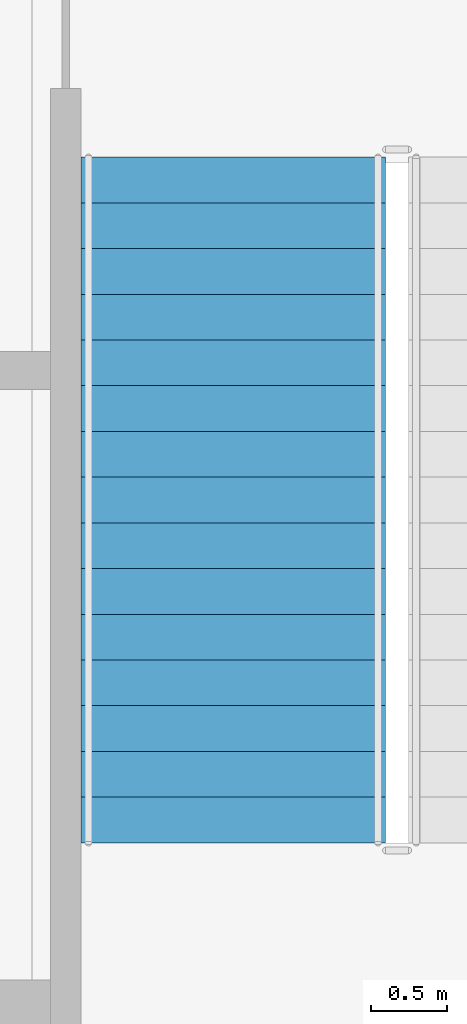
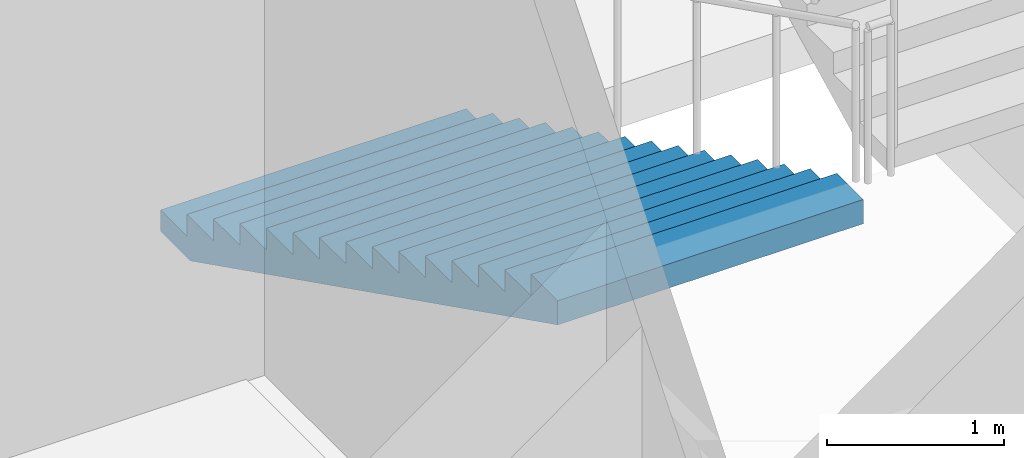
# One storey, part 49 of 91: 1 stair flight, 1 element without a shape of its own.
"""IFC4 building model written with IfcOpenShell, lengths in metres."""

import ifcopenshell
import ifcopenshell.guid

model = None  # the IFC model being written
_history = None  # IfcOwnerHistory: only IFC2X3 demands one
_inside = {}  # id of a spatial element -> (the spatial element, [elements in it])
_under = {}  # id of a project, library or spatial element -> (it, [spatial elements below it])
_declared = {}  # id of a project -> (the project, [libraries it declares])
_typed = {}  # id of a type object -> (the type object, [elements of that type])
_made_of = {}  # id of a material, layer set ... -> (it, [elements and type objects made of it])


def new_model(schema):
    """Start an empty IFC model of exactly this schema.

    Asked for "IFC4X3", IfcOpenShell would pick the latest addendum, in which some entities
    have other attributes; the version numbers below select the first issue.
    IFC2X3 requires an IfcOwnerHistory on every rooted entity: one is made here for all.
    """
    global model, _history
    if schema == "IFC4X3":
        model = ifcopenshell.file(schema_version=(4, 3, 0, 0))
    else:
        model = ifcopenshell.file(schema=schema)
    _inside.clear()
    _under.clear()
    _declared.clear()
    _typed.clear()
    _made_of.clear()
    _history = None
    if model.schema == "IFC2X3":
        org = make("IfcOrganization", Name="unknown")
        user = make(
            "IfcPersonAndOrganization",
            ThePerson=make("IfcPerson", FamilyName="unknown"),
            TheOrganization=org,
        )
        app = make(
            "IfcApplication",
            ApplicationDeveloper=org,
            Version="unknown",
            ApplicationFullName="unknown",
            ApplicationIdentifier="unknown",
        )
        _history = make(
            "IfcOwnerHistory",
            OwningUser=user,
            OwningApplication=app,
            ChangeAction="ADDED",
            CreationDate=0,
        )
    return model


def make(cls, **values):
    """One entity of the class cls with the attributes given. An attribute that is None is left unset."""
    return model.create_entity(
        cls, **{name: value for name, value in values.items() if value is not None}
    )


def rooted(cls, **values):
    """An entity with a GlobalId (a new one), such as an element, a storey or a relation."""
    return make(cls, GlobalId=ifcopenshell.guid.new(), OwnerHistory=_history, **values)


def si_unit(unit_type, name, prefix=None):
    """IfcSIUnit, for example si_unit("LENGTHUNIT", "METRE", prefix="MILLI")."""
    return make("IfcSIUnit", UnitType=unit_type, Prefix=prefix, Name=name)


def assignment(units):
    """IfcUnitAssignment: the units of a project."""
    return None if units is None else make("IfcUnitAssignment", Units=units)


def point(xyz):
    """IfcCartesianPoint."""
    return None if xyz is None else make("IfcCartesianPoint", Coordinates=xyz)


def direction(xyz):
    """IfcDirection."""
    return None if xyz is None else make("IfcDirection", DirectionRatios=xyz)


def frame(location, z_axis=None, x_axis=None):
    """IfcAxis2Placement3D, a coordinate frame: its origin and axes. An axis left out is left unset."""
    return make(
        "IfcAxis2Placement3D",
        Location=point(location),
        Axis=direction(z_axis),
        RefDirection=direction(x_axis),
    )


def origin():
    """The frame at (0, 0, 0) with its axes left unset."""
    return frame((0.0, 0.0, 0.0))


def place(relative_to, where):
    """IfcLocalPlacement: puts the frame where relative to a parent placement (None: the world)."""
    return make(
        "IfcLocalPlacement", PlacementRelTo=relative_to, RelativePlacement=where
    )


def context(
    kind, dimensions, precision=None, world=None, true_north=None, identifier=None
):
    """IfcGeometricRepresentationContext, for example the 3D "Model" context."""
    return make(
        "IfcGeometricRepresentationContext",
        ContextIdentifier=identifier,
        ContextType=kind,
        CoordinateSpaceDimension=dimensions,
        Precision=precision,
        WorldCoordinateSystem=world,
        TrueNorth=true_north,
    )


def subcontext(parent, identifier, kind, view, scale=None):
    """IfcGeometricRepresentationSubContext, for example "Body" below "Model"."""
    return make(
        "IfcGeometricRepresentationSubContext",
        ContextIdentifier=identifier,
        ContextType=kind,
        ParentContext=parent,
        TargetScale=scale,
        TargetView=view,
    )


def project(units=None, contexts=None):
    """IfcProject with its units and contexts."""
    return rooted(
        "IfcProject",
        Name="project",
        RepresentationContexts=contexts,
        UnitsInContext=assignment(units),
    )


def spatial(cls, under=None, at=None, **own):
    """A site, building, storey or space (cls), placed at a placement, below another one or the project."""
    s = rooted(cls, ObjectPlacement=at, **own)
    if under is not None:
        _under.setdefault(under.id(), (under, []))[1].append(s)
    return s


def faces_of(points, faces, orient=None, outer=None):
    """IfcFace entities. A face is a list of loops; a loop is a list of indices into points, from 0.

    orient and outer hold one flag for each loop. By default every Orientation is true, the
    first loop of a face is its IfcFaceOuterBound and the others are IfcFaceBound.
    """
    made = []
    for i, loops in enumerate(faces):
        bounds = []
        for j, loop in enumerate(loops):
            is_outer = j == 0 if outer is None else outer[i][j]
            bounds.append(
                make(
                    "IfcFaceOuterBound" if is_outer else "IfcFaceBound",
                    Bound=make("IfcPolyLoop", Polygon=[points[k] for k in loop]),
                    Orientation=True if orient is None else orient[i][j],
                )
            )
        made.append(make("IfcFace", Bounds=bounds))
    return made


def faceted_brep(points, faces, orient=None, outer=None, voids=None):
    """IfcFacetedBrep: a solid bounded by flat faces; with voids (closed shells), ...WithVoids."""
    shared = [point(p) for p in points]
    hull = make("IfcClosedShell", CfsFaces=faces_of(shared, faces, orient, outer))
    if voids is None:
        return make("IfcFacetedBrep", Outer=hull)
    return make(
        "IfcFacetedBrepWithVoids",
        Outer=hull,
        Voids=[
            make(cls, CfsFaces=faces_of(shared, fs, o, b)) for cls, fs, o, b in voids
        ],
    )


def shape(context_of_items, identifier, shape_type, items):
    """IfcShapeRepresentation: the items that make up one representation, for example the "Body"."""
    return make(
        "IfcShapeRepresentation",
        ContextOfItems=context_of_items,
        RepresentationIdentifier=identifier,
        RepresentationType=shape_type,
        Items=items,
    )


def material(Name=None, Category=None):
    """IfcMaterial."""
    return make("IfcMaterial", Name=Name, Category=Category)


def made_of(thing, what):
    """Note that an element or type object is made of a material, layer set ...; save() writes the relation."""
    if what is not None:
        _made_of.setdefault(what.id(), (what, []))[1].append(thing)
    return thing


def type_object(cls, material=None, **own):
    """A type object (cls), such as IfcWallType, which elements share."""
    return made_of(rooted(cls, **own), material)


def element(
    cls,
    number,
    at=None,
    inside=None,
    cuts=None,
    type_object=None,
    material=None,
    context=None,
    identifier="Body",
    shape_type=None,
    held_by="IfcProductDefinitionShape",
    body=None,
    shapes=None,
    **own,
):
    """One element of the class cls, such as IfcWall. Its Tag is "e" and its number.

    at: its placement. inside: the storey or other place that contains it. cuts: it is an
    opening in that element (IfcRelVoidsElement). A single representation is given by context,
    identifier, shape_type and body (its items); several are given by shapes. held_by: the class
    of the entity that holds the representations. save() writes the other relations.
    """
    e = rooted(cls, Tag="e%d" % number, ObjectPlacement=at, **own)
    if body is not None:
        shapes = [shape(context, identifier, shape_type, body)]
    if shapes is not None:
        e.Representation = make(held_by, Representations=shapes)
    if inside is not None:
        _inside.setdefault(inside.id(), (inside, []))[1].append(e)
    if cuts is not None:
        rooted(
            "IfcRelVoidsElement", RelatingBuildingElement=cuts, RelatedOpeningElement=e
        )
    if type_object is not None:
        _typed.setdefault(type_object.id(), (type_object, []))[1].append(e)
    return made_of(e, material)


def aggregate(whole, parts):
    """IfcRelAggregates: a whole, such as a stair, and the parts it consists of."""
    return rooted("IfcRelAggregates", RelatingObject=whole, RelatedObjects=parts)


def save(model, path):
    """Write the relations noted so far, then the file.

    IfcRelAggregates (storeys below a building ...), IfcRelContainedInSpatialStructure (elements
    in a storey), IfcRelDefinesByType, IfcRelAssociatesMaterial and IfcRelDeclares: one each for
    every whole, place, type object, material and project.
    """
    for whole, parts in _under.values():
        aggregate(whole, parts)
    for where, things in _inside.values():
        rooted(
            "IfcRelContainedInSpatialStructure",
            RelatedElements=things,
            RelatingStructure=where,
        )
    for kind, things in _typed.values():
        rooted("IfcRelDefinesByType", RelatedObjects=things, RelatingType=kind)
    for what, things in _made_of.values():
        rooted("IfcRelAssociatesMaterial", RelatedObjects=things, RelatingMaterial=what)
    for by, libraries in _declared.values():
        rooted("IfcRelDeclares", RelatingContext=by, RelatedDefinitions=libraries)
    model.write(path)


model = new_model("IFC4")

# Units and contexts
model_context = context("Model", 3, precision=1e-05, world=origin(), true_north=direction((0.0, 1.0)))
body_context = subcontext(model_context, "Body", "Model", "MODEL_VIEW")
ifc_project = project(units=[si_unit("LENGTHUNIT", "METRE"), si_unit("AREAUNIT", "SQUARE_METRE"), si_unit("VOLUMEUNIT", "CUBIC_METRE"), si_unit("PLANEANGLEUNIT", "RADIAN"), si_unit("MASSUNIT", "GRAM", prefix="KILO")], contexts=[model_context])

# Site, building, storey
site_placement = place(None, origin())
site = spatial("IfcSite", under=ifc_project, at=site_placement, CompositionType="ELEMENT")
building_placement = place(site_placement, origin())
building = spatial("IfcBuilding", under=site, at=building_placement, Name="Kiln Court Media Centre", CompositionType="ELEMENT")
storey_placement = place(building_placement, frame((0.0, 0.0, 5.39990234375)))
storey = spatial("IfcBuildingStorey", under=building, at=storey_placement, Name="L01", CompositionType="ELEMENT", Elevation=5.39990234375)

# Stair, stair flight
ifc_material_1 = material(Name="Concrete C40/50", Category="concrete")
stair_type = type_object("IfcStairType", Name="Concrete C40/50 dog-leg stair 2000 wide, 150 riser", PredefinedType="HALF_TURN_STAIR", material=ifc_material_1)
stair_placement = place(storey_placement, origin())
stair = element("IfcStair", 1, at=stair_placement, inside=storey, type_object=stair_type, Name="ST-08 L01", PredefinedType="HALF_TURN_STAIR")
ifc_material_2 = material(Name="Concrete C40/50", Category="concrete")
stair_flight_type = type_object("IfcStairFlightType", Name="Concrete C40/50 stair flight 2000 wide, 150 riser, 300 going", PredefinedType="STRAIGHT", material=ifc_material_2)
stair_flight_placement = place(storey_placement, frame((30.0, 64.39990234375, 0.0), z_axis=(0.0, 0.0, 1.0), x_axis=(0.0, -1.0, 0.0)))
stair_flight = element("IfcStairFlight", 2, at=stair_flight_placement, type_object=stair_flight_type, Name="L01-ST-5007 flight 5014", NumberOfRisers=16, NumberOfTreads=15, PredefinedType="STRAIGHT", RiserHeight=0.15, TreadLength=0.3, context=body_context, shape_type="Brep", body=[
    faceted_brep([(0.335205078125, -1.0, 0.0), (4.5, -1.0, 2.08251953125), (4.5, -1.0, 2.25), (4.199951171875, -1.0, 2.25), (4.199951171875, -1.0, 2.10009765625), (3.89990234375, -1.0, 2.10009765625), (3.89990234375, -1.0, 1.949951171875), (3.60009765625, -1.0, 1.949951171875), (3.60009765625, -1.0, 1.800048828125), (3.300048828125, -1.0, 1.800048828125), (3.300048828125, -1.0, 1.64990234375), (3.0, -1.0, 1.64990234375), (3.0, -1.0, 1.5), (2.699951171875, -1.0, 1.5), (2.699951171875, -1.0, 1.35009765625), (2.39990234375, -1.0, 1.35009765625), (2.39990234375, -1.0, 1.199951171875), (2.10009765625, -1.0, 1.199951171875), (2.10009765625, -1.0, 1.050048828125), (1.800048828125, -1.0, 1.050048828125), (1.800048828125, -1.0, 0.89990234375), (1.5, -1.0, 0.89990234375), (1.5, -1.0, 0.75), (1.199951171875, -1.0, 0.75), (1.199951171875, -1.0, 0.60009765625), (0.89990234375, -1.0, 0.60009765625), (0.89990234375, -1.0, 0.449951171875), (0.60009765625, -1.0, 0.449951171875), (0.60009765625, -1.0, 0.300048828125), (0.300048828125, -1.0, 0.300048828125), (0.300048828125, -1.0, 0.14990234375), (0.0, -1.0, 0.14990234375), (0.0, -1.0, 0.0), (0.0, 1.0, 0.0), (0.0, 1.0, 0.14990234375), (0.300048828125, 1.0, 0.14990234375), (0.300048828125, 1.0, 0.300048828125), (0.60009765625, 1.0, 0.300048828125), (0.60009765625, 1.0, 0.449951171875), (0.89990234375, 1.0, 0.449951171875), (0.89990234375, 1.0, 0.60009765625), (1.199951171875, 1.0, 0.60009765625), (1.199951171875, 1.0, 0.75), (1.5, 1.0, 0.75), (1.5, 1.0, 0.89990234375), (1.800048828125, 1.0, 0.89990234375), (1.800048828125, 1.0, 1.050048828125), (2.10009765625, 1.0, 1.050048828125), (2.10009765625, 1.0, 1.199951171875), (2.39990234375, 1.0, 1.199951171875), (2.39990234375, 1.0, 1.35009765625), (2.699951171875, 1.0, 1.35009765625), (2.699951171875, 1.0, 1.5), (3.0, 1.0, 1.5), (3.0, 1.0, 1.64990234375), (3.300048828125, 1.0, 1.64990234375), (3.300048828125, 1.0, 1.800048828125), (3.60009765625, 1.0, 1.800048828125), (3.60009765625, 1.0, 1.949951171875), (3.89990234375, 1.0, 1.949951171875), (3.89990234375, 1.0, 2.10009765625), (4.199951171875, 1.0, 2.10009765625), (4.199951171875, 1.0, 2.25), (4.5, 1.0, 2.25), (4.5, 1.0, 2.08251953125), (0.335205078125, 1.0, 0.0), (4.5, 0.10009765625, 2.08251953125), (0.335205078125, 0.10009765625, 0.0), (4.5, 0.080078125, 2.08251953125), (0.335205078125, 0.080078125, 0.0), (4.5, 0.06005859375, 2.08251953125), (0.335205078125, 0.06005859375, 0.0), (4.5, 0.0400390625, 2.08251953125), (0.335205078125, 0.0400390625, 0.0), (4.5, 0.02001953125, 2.08251953125), (0.335205078125, 0.02001953125, 0.0), (4.5, 0.0, 2.08251953125), (0.335205078125, 0.0, 0.0), (4.5, -0.02001953125, 2.08251953125), (0.335205078125, -0.02001953125, 0.0), (4.5, -0.0400390625, 2.08251953125), (0.335205078125, -0.0400390625, 0.0), (4.5, -0.06005859375, 2.08251953125), (0.335205078125, -0.06005859375, 0.0), (4.5, -0.080078125, 2.08251953125), (0.335205078125, -0.080078125, 0.0), (4.5, -0.10009765625, 2.08251953125), (0.335205078125, -0.10009765625, 0.0), (4.5, 0.10009765625, 2.25), (4.5, 0.080078125, 2.25), (4.5, 0.06005859375, 2.25), (4.5, 0.0400390625, 2.25), (4.5, 0.02001953125, 2.25), (4.5, 0.0, 2.25), (4.5, -0.02001953125, 2.25), (4.5, -0.0400390625, 2.25), (4.5, -0.06005859375, 2.25), (4.5, -0.080078125, 2.25), (4.5, -0.10009765625, 2.25), (4.199951171875, 0.10009765625, 2.25), (4.199951171875, 0.080078125, 2.25), (4.199951171875, 0.06005859375, 2.25), (4.199951171875, 0.0400390625, 2.25), (4.199951171875, 0.02001953125, 2.25), (4.199951171875, 0.0, 2.25), (4.199951171875, -0.02001953125, 2.25), (4.199951171875, -0.0400390625, 2.25), (4.199951171875, -0.06005859375, 2.25), (4.199951171875, -0.080078125, 2.25), (4.199951171875, -0.10009765625, 2.25), (4.199951171875, 0.10009765625, 2.10009765625), (4.199951171875, 0.080078125, 2.10009765625), (4.199951171875, 0.06005859375, 2.10009765625), (4.199951171875, 0.0400390625, 2.10009765625), (4.199951171875, 0.02001953125, 2.10009765625), (4.199951171875, 0.0, 2.10009765625), (4.199951171875, -0.02001953125, 2.10009765625), (4.199951171875, -0.0400390625, 2.10009765625), (4.199951171875, -0.06005859375, 2.10009765625), (4.199951171875, -0.080078125, 2.10009765625), (4.199951171875, -0.10009765625, 2.10009765625), (3.89990234375, 0.10009765625, 2.10009765625), (3.89990234375, 0.080078125, 2.10009765625), (3.89990234375, 0.06005859375, 2.10009765625), (3.89990234375, 0.0400390625, 2.10009765625), (3.89990234375, 0.02001953125, 2.10009765625), (3.89990234375, 0.0, 2.10009765625), (3.89990234375, -0.02001953125, 2.10009765625), (3.89990234375, -0.0400390625, 2.10009765625), (3.89990234375, -0.06005859375, 2.10009765625), (3.89990234375, -0.080078125, 2.10009765625), (3.89990234375, -0.10009765625, 2.10009765625), (3.89990234375, 0.10009765625, 1.949951171875), (3.89990234375, 0.080078125, 1.949951171875), (3.89990234375, 0.06005859375, 1.949951171875), (3.89990234375, 0.0400390625, 1.949951171875), (3.89990234375, 0.02001953125, 1.949951171875), (3.89990234375, 0.0, 1.949951171875), (3.89990234375, -0.02001953125, 1.949951171875), (3.89990234375, -0.0400390625, 1.949951171875), (3.89990234375, -0.06005859375, 1.949951171875), (3.89990234375, -0.080078125, 1.949951171875), (3.89990234375, -0.10009765625, 1.949951171875), (3.60009765625, 0.10009765625, 1.949951171875), (3.60009765625, 0.080078125, 1.949951171875), (3.60009765625, 0.06005859375, 1.949951171875), (3.60009765625, 0.0400390625, 1.949951171875), (3.60009765625, 0.02001953125, 1.949951171875), (3.60009765625, 0.0, 1.949951171875), (3.60009765625, -0.02001953125, 1.949951171875), (3.60009765625, -0.0400390625, 1.949951171875), (3.60009765625, -0.06005859375, 1.949951171875), (3.60009765625, -0.080078125, 1.949951171875), (3.60009765625, -0.10009765625, 1.949951171875), (3.60009765625, 0.10009765625, 1.800048828125), (3.60009765625, 0.080078125, 1.800048828125), (3.60009765625, 0.06005859375, 1.800048828125), (3.60009765625, 0.0400390625, 1.800048828125), (3.60009765625, 0.02001953125, 1.800048828125), (3.60009765625, 0.0, 1.800048828125), (3.60009765625, -0.02001953125, 1.800048828125), (3.60009765625, -0.0400390625, 1.800048828125), (3.60009765625, -0.06005859375, 1.800048828125), (3.60009765625, -0.080078125, 1.800048828125), (3.60009765625, -0.10009765625, 1.800048828125), (3.300048828125, 0.10009765625, 1.800048828125), (3.300048828125, 0.080078125, 1.800048828125), (3.300048828125, 0.06005859375, 1.800048828125), (3.300048828125, 0.0400390625, 1.800048828125), (3.300048828125, 0.02001953125, 1.800048828125), (3.300048828125, 0.0, 1.800048828125), (3.300048828125, -0.02001953125, 1.800048828125), (3.300048828125, -0.0400390625, 1.800048828125), (3.300048828125, -0.06005859375, 1.800048828125), (3.300048828125, -0.080078125, 1.800048828125), (3.300048828125, -0.10009765625, 1.800048828125), (3.300048828125, 0.10009765625, 1.64990234375), (3.300048828125, 0.080078125, 1.64990234375), (3.300048828125, 0.06005859375, 1.64990234375), (3.300048828125, 0.0400390625, 1.64990234375), (3.300048828125, 0.02001953125, 1.64990234375), (3.300048828125, 0.0, 1.64990234375), (3.300048828125, -0.02001953125, 1.64990234375), (3.300048828125, -0.0400390625, 1.64990234375), (3.300048828125, -0.06005859375, 1.64990234375), (3.300048828125, -0.080078125, 1.64990234375), (3.300048828125, -0.10009765625, 1.64990234375), (3.0, 0.10009765625, 1.64990234375), (3.0, 0.080078125, 1.64990234375), (3.0, 0.06005859375, 1.64990234375), (3.0, 0.0400390625, 1.64990234375), (3.0, 0.02001953125, 1.64990234375), (3.0, 0.0, 1.64990234375), (3.0, -0.02001953125, 1.64990234375), (3.0, -0.0400390625, 1.64990234375), (3.0, -0.06005859375, 1.64990234375), (3.0, -0.080078125, 1.64990234375), (3.0, -0.10009765625, 1.64990234375), (3.0, 0.10009765625, 1.5), (3.0, 0.080078125, 1.5), (3.0, 0.06005859375, 1.5), (3.0, 0.0400390625, 1.5), (3.0, 0.02001953125, 1.5), (3.0, 0.0, 1.5), (3.0, -0.02001953125, 1.5), (3.0, -0.0400390625, 1.5), (3.0, -0.06005859375, 1.5), (3.0, -0.080078125, 1.5), (3.0, -0.10009765625, 1.5), (2.699951171875, 0.10009765625, 1.5), (2.699951171875, 0.080078125, 1.5), (2.699951171875, 0.06005859375, 1.5), (2.699951171875, 0.0400390625, 1.5), (2.699951171875, 0.02001953125, 1.5), (2.699951171875, 0.0, 1.5), (2.699951171875, -0.02001953125, 1.5), (2.699951171875, -0.0400390625, 1.5), (2.699951171875, -0.06005859375, 1.5), (2.699951171875, -0.080078125, 1.5), (2.699951171875, -0.10009765625, 1.5), (2.699951171875, 0.10009765625, 1.35009765625), (2.699951171875, 0.080078125, 1.35009765625), (2.699951171875, 0.06005859375, 1.35009765625), (2.699951171875, 0.0400390625, 1.35009765625), (2.699951171875, 0.02001953125, 1.35009765625), (2.699951171875, 0.0, 1.35009765625), (2.699951171875, -0.02001953125, 1.35009765625), (2.699951171875, -0.0400390625, 1.35009765625), (2.699951171875, -0.06005859375, 1.35009765625), (2.699951171875, -0.080078125, 1.35009765625), (2.699951171875, -0.10009765625, 1.35009765625), (2.39990234375, 0.10009765625, 1.35009765625), (2.39990234375, 0.080078125, 1.35009765625), (2.39990234375, 0.06005859375, 1.35009765625), (2.39990234375, 0.0400390625, 1.35009765625), (2.39990234375, 0.02001953125, 1.35009765625), (2.39990234375, 0.0, 1.35009765625), (2.39990234375, -0.02001953125, 1.35009765625), (2.39990234375, -0.0400390625, 1.35009765625), (2.39990234375, -0.06005859375, 1.35009765625), (2.39990234375, -0.080078125, 1.35009765625), (2.39990234375, -0.10009765625, 1.35009765625), (2.39990234375, 0.10009765625, 1.199951171875), (2.39990234375, 0.080078125, 1.199951171875), (2.39990234375, 0.06005859375, 1.199951171875), (2.39990234375, 0.0400390625, 1.199951171875), (2.39990234375, 0.02001953125, 1.199951171875), (2.39990234375, 0.0, 1.199951171875), (2.39990234375, -0.02001953125, 1.199951171875), (2.39990234375, -0.0400390625, 1.199951171875), (2.39990234375, -0.06005859375, 1.199951171875), (2.39990234375, -0.080078125, 1.199951171875), (2.39990234375, -0.10009765625, 1.199951171875), (2.10009765625, 0.10009765625, 1.199951171875), (2.10009765625, 0.080078125, 1.199951171875), (2.10009765625, 0.06005859375, 1.199951171875), (2.10009765625, 0.0400390625, 1.199951171875), (2.10009765625, 0.02001953125, 1.199951171875), (2.10009765625, 0.0, 1.199951171875), (2.10009765625, -0.02001953125, 1.199951171875), (2.10009765625, -0.0400390625, 1.199951171875), (2.10009765625, -0.06005859375, 1.199951171875), (2.10009765625, -0.080078125, 1.199951171875), (2.10009765625, -0.10009765625, 1.199951171875), (2.10009765625, 0.10009765625, 1.050048828125), (2.10009765625, 0.080078125, 1.050048828125), (2.10009765625, 0.06005859375, 1.050048828125), (2.10009765625, 0.0400390625, 1.050048828125), (2.10009765625, 0.02001953125, 1.050048828125), (2.10009765625, 0.0, 1.050048828125), (2.10009765625, -0.02001953125, 1.050048828125), (2.10009765625, -0.0400390625, 1.050048828125), (2.10009765625, -0.06005859375, 1.050048828125), (2.10009765625, -0.080078125, 1.050048828125), (2.10009765625, -0.10009765625, 1.050048828125), (1.800048828125, 0.10009765625, 1.050048828125), (1.800048828125, 0.080078125, 1.050048828125), (1.800048828125, 0.06005859375, 1.050048828125), (1.800048828125, 0.0400390625, 1.050048828125), (1.800048828125, 0.02001953125, 1.050048828125), (1.800048828125, 0.0, 1.050048828125), (1.800048828125, -0.02001953125, 1.050048828125), (1.800048828125, -0.0400390625, 1.050048828125), (1.800048828125, -0.06005859375, 1.050048828125), (1.800048828125, -0.080078125, 1.050048828125), (1.800048828125, -0.10009765625, 1.050048828125), (1.800048828125, 0.10009765625, 0.89990234375), (1.800048828125, 0.080078125, 0.89990234375), (1.800048828125, 0.06005859375, 0.89990234375), (1.800048828125, 0.0400390625, 0.89990234375), (1.800048828125, 0.02001953125, 0.89990234375), (1.800048828125, 0.0, 0.89990234375), (1.800048828125, -0.02001953125, 0.89990234375), (1.800048828125, -0.0400390625, 0.89990234375), (1.800048828125, -0.06005859375, 0.89990234375), (1.800048828125, -0.080078125, 0.89990234375), (1.800048828125, -0.10009765625, 0.89990234375), (1.5, 0.10009765625, 0.89990234375), (1.5, 0.080078125, 0.89990234375), (1.5, 0.06005859375, 0.89990234375), (1.5, 0.0400390625, 0.89990234375), (1.5, 0.02001953125, 0.89990234375), (1.5, 0.0, 0.89990234375), (1.5, -0.02001953125, 0.89990234375), (1.5, -0.0400390625, 0.89990234375), (1.5, -0.06005859375, 0.89990234375), (1.5, -0.080078125, 0.89990234375), (1.5, -0.10009765625, 0.89990234375), (1.5, 0.10009765625, 0.75), (1.5, 0.080078125, 0.75), (1.5, 0.06005859375, 0.75), (1.5, 0.0400390625, 0.75), (1.5, 0.02001953125, 0.75), (1.5, 0.0, 0.75), (1.5, -0.02001953125, 0.75), (1.5, -0.0400390625, 0.75), (1.5, -0.06005859375, 0.75), (1.5, -0.080078125, 0.75), (1.5, -0.10009765625, 0.75), (1.199951171875, 0.10009765625, 0.75), (1.199951171875, 0.080078125, 0.75), (1.199951171875, 0.06005859375, 0.75), (1.199951171875, 0.0400390625, 0.75), (1.199951171875, 0.02001953125, 0.75), (1.199951171875, 0.0, 0.75), (1.199951171875, -0.02001953125, 0.75), (1.199951171875, -0.0400390625, 0.75), (1.199951171875, -0.06005859375, 0.75), (1.199951171875, -0.080078125, 0.75), (1.199951171875, -0.10009765625, 0.75), (1.199951171875, 0.10009765625, 0.60009765625), (1.199951171875, 0.080078125, 0.60009765625), (1.199951171875, 0.06005859375, 0.60009765625), (1.199951171875, 0.0400390625, 0.60009765625), (1.199951171875, 0.02001953125, 0.60009765625), (1.199951171875, 0.0, 0.60009765625), (1.199951171875, -0.02001953125, 0.60009765625), (1.199951171875, -0.0400390625, 0.60009765625), (1.199951171875, -0.06005859375, 0.60009765625), (1.199951171875, -0.080078125, 0.60009765625), (1.199951171875, -0.10009765625, 0.60009765625), (0.89990234375, 0.10009765625, 0.60009765625), (0.89990234375, 0.080078125, 0.60009765625), (0.89990234375, 0.06005859375, 0.60009765625), (0.89990234375, 0.0400390625, 0.60009765625), (0.89990234375, 0.02001953125, 0.60009765625), (0.89990234375, 0.0, 0.60009765625), (0.89990234375, -0.02001953125, 0.60009765625), (0.89990234375, -0.0400390625, 0.60009765625), (0.89990234375, -0.06005859375, 0.60009765625), (0.89990234375, -0.080078125, 0.60009765625), (0.89990234375, -0.10009765625, 0.60009765625), (0.89990234375, 0.10009765625, 0.449951171875), (0.89990234375, 0.080078125, 0.449951171875), (0.89990234375, 0.06005859375, 0.449951171875), (0.89990234375, 0.0400390625, 0.449951171875), (0.89990234375, 0.02001953125, 0.449951171875), (0.89990234375, 0.0, 0.449951171875), (0.89990234375, -0.02001953125, 0.449951171875), (0.89990234375, -0.0400390625, 0.449951171875), (0.89990234375, -0.06005859375, 0.449951171875), (0.89990234375, -0.080078125, 0.449951171875), (0.89990234375, -0.10009765625, 0.449951171875), (0.60009765625, 0.10009765625, 0.449951171875), (0.60009765625, 0.080078125, 0.449951171875), (0.60009765625, 0.06005859375, 0.449951171875), (0.60009765625, 0.0400390625, 0.449951171875), (0.60009765625, 0.02001953125, 0.449951171875), (0.60009765625, 0.0, 0.449951171875), (0.60009765625, -0.02001953125, 0.449951171875), (0.60009765625, -0.0400390625, 0.449951171875), (0.60009765625, -0.06005859375, 0.449951171875), (0.60009765625, -0.080078125, 0.449951171875), (0.60009765625, -0.10009765625, 0.449951171875), (0.60009765625, 0.10009765625, 0.300048828125), (0.60009765625, 0.080078125, 0.300048828125), (0.60009765625, 0.06005859375, 0.300048828125), (0.60009765625, 0.0400390625, 0.300048828125), (0.60009765625, 0.02001953125, 0.300048828125), (0.60009765625, 0.0, 0.300048828125), (0.60009765625, -0.02001953125, 0.300048828125), (0.60009765625, -0.0400390625, 0.300048828125), (0.60009765625, -0.06005859375, 0.300048828125), (0.60009765625, -0.080078125, 0.300048828125), (0.60009765625, -0.10009765625, 0.300048828125), (0.300048828125, 0.10009765625, 0.300048828125), (0.300048828125, 0.080078125, 0.300048828125), (0.300048828125, 0.06005859375, 0.300048828125), (0.300048828125, 0.0400390625, 0.300048828125), (0.300048828125, 0.02001953125, 0.300048828125), (0.300048828125, 0.0, 0.300048828125), (0.300048828125, -0.02001953125, 0.300048828125), (0.300048828125, -0.0400390625, 0.300048828125), (0.300048828125, -0.06005859375, 0.300048828125), (0.300048828125, -0.080078125, 0.300048828125), (0.300048828125, -0.10009765625, 0.300048828125), (0.300048828125, 0.10009765625, 0.14990234375), (0.300048828125, 0.080078125, 0.14990234375), (0.300048828125, 0.06005859375, 0.14990234375), (0.300048828125, 0.0400390625, 0.14990234375), (0.300048828125, 0.02001953125, 0.14990234375), (0.300048828125, 0.0, 0.14990234375), (0.300048828125, -0.02001953125, 0.14990234375), (0.300048828125, -0.0400390625, 0.14990234375), (0.300048828125, -0.06005859375, 0.14990234375), (0.300048828125, -0.080078125, 0.14990234375), (0.300048828125, -0.10009765625, 0.14990234375), (0.0, 0.10009765625, 0.14990234375), (0.0, 0.080078125, 0.14990234375), (0.0, 0.06005859375, 0.14990234375), (0.0, 0.0400390625, 0.14990234375), (0.0, 0.02001953125, 0.14990234375), (0.0, 0.0, 0.14990234375), (0.0, -0.02001953125, 0.14990234375), (0.0, -0.0400390625, 0.14990234375), (0.0, -0.06005859375, 0.14990234375), (0.0, -0.080078125, 0.14990234375), (0.0, -0.10009765625, 0.14990234375), (0.0, 0.10009765625, 0.0), (0.0, 0.080078125, 0.0), (0.0, 0.06005859375, 0.0), (0.0, 0.0400390625, 0.0), (0.0, 0.02001953125, 0.0), (0.0, 0.0, 0.0), (0.0, -0.02001953125, 0.0), (0.0, -0.0400390625, 0.0), (0.0, -0.06005859375, 0.0), (0.0, -0.080078125, 0.0), (0.0, -0.10009765625, 0.0)], [[[0, 1, 2, 3, 4, 5, 6, 7, 8, 9, 10, 11, 12, 13, 14, 15, 16, 17, 18, 19, 20, 21, 22, 23, 24, 25, 26, 27, 28, 29, 30, 31, 32]], [[33, 34, 35, 36, 37, 38, 39, 40, 41, 42, 43, 44, 45, 46, 47, 48, 49, 50, 51, 52, 53, 54, 55, 56, 57, 58, 59, 60, 61, 62, 63, 64, 65]], [[65, 64, 66, 67]], [[67, 66, 68, 69]], [[69, 68, 70, 71]], [[71, 70, 72, 73]], [[73, 72, 74, 75]], [[75, 74, 76, 77]], [[77, 76, 78, 79]], [[79, 78, 80, 81]], [[81, 80, 82, 83]], [[83, 82, 84, 85]], [[85, 84, 86, 87]], [[87, 86, 1, 0]], [[64, 63, 88, 66]], [[66, 88, 89, 68]], [[68, 89, 90, 70]], [[70, 90, 91, 72]], [[72, 91, 92, 74]], [[74, 92, 93, 76]], [[76, 93, 94, 78]], [[78, 94, 95, 80]], [[80, 95, 96, 82]], [[82, 96, 97, 84]], [[84, 97, 98, 86]], [[86, 98, 2, 1]], [[63, 62, 99, 88]], [[88, 99, 100, 89]], [[89, 100, 101, 90]], [[90, 101, 102, 91]], [[91, 102, 103, 92]], [[92, 103, 104, 93]], [[93, 104, 105, 94]], [[94, 105, 106, 95]], [[95, 106, 107, 96]], [[96, 107, 108, 97]], [[97, 108, 109, 98]], [[98, 109, 3, 2]], [[62, 61, 110, 99]], [[99, 110, 111, 100]], [[100, 111, 112, 101]], [[101, 112, 113, 102]], [[102, 113, 114, 103]], [[103, 114, 115, 104]], [[104, 115, 116, 105]], [[105, 116, 117, 106]], [[106, 117, 118, 107]], [[107, 118, 119, 108]], [[108, 119, 120, 109]], [[109, 120, 4, 3]], [[61, 60, 121, 110]], [[110, 121, 122, 111]], [[111, 122, 123, 112]], [[112, 123, 124, 113]], [[113, 124, 125, 114]], [[114, 125, 126, 115]], [[115, 126, 127, 116]], [[116, 127, 128, 117]], [[117, 128, 129, 118]], [[118, 129, 130, 119]], [[119, 130, 131, 120]], [[120, 131, 5, 4]], [[60, 59, 132, 121]], [[121, 132, 133, 122]], [[122, 133, 134, 123]], [[123, 134, 135, 124]], [[124, 135, 136, 125]], [[125, 136, 137, 126]], [[126, 137, 138, 127]], [[127, 138, 139, 128]], [[128, 139, 140, 129]], [[129, 140, 141, 130]], [[130, 141, 142, 131]], [[131, 142, 6, 5]], [[59, 58, 143, 132]], [[132, 143, 144, 133]], [[133, 144, 145, 134]], [[134, 145, 146, 135]], [[135, 146, 147, 136]], [[136, 147, 148, 137]], [[137, 148, 149, 138]], [[138, 149, 150, 139]], [[139, 150, 151, 140]], [[140, 151, 152, 141]], [[141, 152, 153, 142]], [[142, 153, 7, 6]], [[58, 57, 154, 143]], [[143, 154, 155, 144]], [[144, 155, 156, 145]], [[145, 156, 157, 146]], [[146, 157, 158, 147]], [[147, 158, 159, 148]], [[148, 159, 160, 149]], [[149, 160, 161, 150]], [[150, 161, 162, 151]], [[151, 162, 163, 152]], [[152, 163, 164, 153]], [[153, 164, 8, 7]], [[57, 56, 165, 154]], [[154, 165, 166, 155]], [[155, 166, 167, 156]], [[156, 167, 168, 157]], [[157, 168, 169, 158]], [[158, 169, 170, 159]], [[159, 170, 171, 160]], [[160, 171, 172, 161]], [[161, 172, 173, 162]], [[162, 173, 174, 163]], [[163, 174, 175, 164]], [[164, 175, 9, 8]], [[56, 55, 176, 165]], [[165, 176, 177, 166]], [[166, 177, 178, 167]], [[167, 178, 179, 168]], [[168, 179, 180, 169]], [[169, 180, 181, 170]], [[170, 181, 182, 171]], [[171, 182, 183, 172]], [[172, 183, 184, 173]], [[173, 184, 185, 174]], [[174, 185, 186, 175]], [[175, 186, 10, 9]], [[55, 54, 187, 176]], [[176, 187, 188, 177]], [[177, 188, 189, 178]], [[178, 189, 190, 179]], [[179, 190, 191, 180]], [[180, 191, 192, 181]], [[181, 192, 193, 182]], [[182, 193, 194, 183]], [[183, 194, 195, 184]], [[184, 195, 196, 185]], [[185, 196, 197, 186]], [[186, 197, 11, 10]], [[54, 53, 198, 187]], [[187, 198, 199, 188]], [[188, 199, 200, 189]], [[189, 200, 201, 190]], [[190, 201, 202, 191]], [[191, 202, 203, 192]], [[192, 203, 204, 193]], [[193, 204, 205, 194]], [[194, 205, 206, 195]], [[195, 206, 207, 196]], [[196, 207, 208, 197]], [[197, 208, 12, 11]], [[53, 52, 209, 198]], [[198, 209, 210, 199]], [[199, 210, 211, 200]], [[200, 211, 212, 201]], [[201, 212, 213, 202]], [[202, 213, 214, 203]], [[203, 214, 215, 204]], [[204, 215, 216, 205]], [[205, 216, 217, 206]], [[206, 217, 218, 207]], [[207, 218, 219, 208]], [[208, 219, 13, 12]], [[52, 51, 220, 209]], [[209, 220, 221, 210]], [[210, 221, 222, 211]], [[211, 222, 223, 212]], [[212, 223, 224, 213]], [[213, 224, 225, 214]], [[214, 225, 226, 215]], [[215, 226, 227, 216]], [[216, 227, 228, 217]], [[217, 228, 229, 218]], [[218, 229, 230, 219]], [[219, 230, 14, 13]], [[51, 50, 231, 220]], [[220, 231, 232, 221]], [[221, 232, 233, 222]], [[222, 233, 234, 223]], [[223, 234, 235, 224]], [[224, 235, 236, 225]], [[225, 236, 237, 226]], [[226, 237, 238, 227]], [[227, 238, 239, 228]], [[228, 239, 240, 229]], [[229, 240, 241, 230]], [[230, 241, 15, 14]], [[50, 49, 242, 231]], [[231, 242, 243, 232]], [[232, 243, 244, 233]], [[233, 244, 245, 234]], [[234, 245, 246, 235]], [[235, 246, 247, 236]], [[236, 247, 248, 237]], [[237, 248, 249, 238]], [[238, 249, 250, 239]], [[239, 250, 251, 240]], [[240, 251, 252, 241]], [[241, 252, 16, 15]], [[49, 48, 253, 242]], [[242, 253, 254, 243]], [[243, 254, 255, 244]], [[244, 255, 256, 245]], [[245, 256, 257, 246]], [[246, 257, 258, 247]], [[247, 258, 259, 248]], [[248, 259, 260, 249]], [[249, 260, 261, 250]], [[250, 261, 262, 251]], [[251, 262, 263, 252]], [[252, 263, 17, 16]], [[48, 47, 264, 253]], [[253, 264, 265, 254]], [[254, 265, 266, 255]], [[255, 266, 267, 256]], [[256, 267, 268, 257]], [[257, 268, 269, 258]], [[258, 269, 270, 259]], [[259, 270, 271, 260]], [[260, 271, 272, 261]], [[261, 272, 273, 262]], [[262, 273, 274, 263]], [[263, 274, 18, 17]], [[47, 46, 275, 264]], [[264, 275, 276, 265]], [[265, 276, 277, 266]], [[266, 277, 278, 267]], [[267, 278, 279, 268]], [[268, 279, 280, 269]], [[269, 280, 281, 270]], [[270, 281, 282, 271]], [[271, 282, 283, 272]], [[272, 283, 284, 273]], [[273, 284, 285, 274]], [[274, 285, 19, 18]], [[46, 45, 286, 275]], [[275, 286, 287, 276]], [[276, 287, 288, 277]], [[277, 288, 289, 278]], [[278, 289, 290, 279]], [[279, 290, 291, 280]], [[280, 291, 292, 281]], [[281, 292, 293, 282]], [[282, 293, 294, 283]], [[283, 294, 295, 284]], [[284, 295, 296, 285]], [[285, 296, 20, 19]], [[45, 44, 297, 286]], [[286, 297, 298, 287]], [[287, 298, 299, 288]], [[288, 299, 300, 289]], [[289, 300, 301, 290]], [[290, 301, 302, 291]], [[291, 302, 303, 292]], [[292, 303, 304, 293]], [[293, 304, 305, 294]], [[294, 305, 306, 295]], [[295, 306, 307, 296]], [[296, 307, 21, 20]], [[44, 43, 308, 297]], [[297, 308, 309, 298]], [[298, 309, 310, 299]], [[299, 310, 311, 300]], [[300, 311, 312, 301]], [[301, 312, 313, 302]], [[302, 313, 314, 303]], [[303, 314, 315, 304]], [[304, 315, 316, 305]], [[305, 316, 317, 306]], [[306, 317, 318, 307]], [[307, 318, 22, 21]], [[43, 42, 319, 308]], [[308, 319, 320, 309]], [[309, 320, 321, 310]], [[310, 321, 322, 311]], [[311, 322, 323, 312]], [[312, 323, 324, 313]], [[313, 324, 325, 314]], [[314, 325, 326, 315]], [[315, 326, 327, 316]], [[316, 327, 328, 317]], [[317, 328, 329, 318]], [[318, 329, 23, 22]], [[42, 41, 330, 319]], [[319, 330, 331, 320]], [[320, 331, 332, 321]], [[321, 332, 333, 322]], [[322, 333, 334, 323]], [[323, 334, 335, 324]], [[324, 335, 336, 325]], [[325, 336, 337, 326]], [[326, 337, 338, 327]], [[327, 338, 339, 328]], [[328, 339, 340, 329]], [[329, 340, 24, 23]], [[41, 40, 341, 330]], [[330, 341, 342, 331]], [[331, 342, 343, 332]], [[332, 343, 344, 333]], [[333, 344, 345, 334]], [[334, 345, 346, 335]], [[335, 346, 347, 336]], [[336, 347, 348, 337]], [[337, 348, 349, 338]], [[338, 349, 350, 339]], [[339, 350, 351, 340]], [[340, 351, 25, 24]], [[40, 39, 352, 341]], [[341, 352, 353, 342]], [[342, 353, 354, 343]], [[343, 354, 355, 344]], [[344, 355, 356, 345]], [[345, 356, 357, 346]], [[346, 357, 358, 347]], [[347, 358, 359, 348]], [[348, 359, 360, 349]], [[349, 360, 361, 350]], [[350, 361, 362, 351]], [[351, 362, 26, 25]], [[39, 38, 363, 352]], [[352, 363, 364, 353]], [[353, 364, 365, 354]], [[354, 365, 366, 355]], [[355, 366, 367, 356]], [[356, 367, 368, 357]], [[357, 368, 369, 358]], [[358, 369, 370, 359]], [[359, 370, 371, 360]], [[360, 371, 372, 361]], [[361, 372, 373, 362]], [[362, 373, 27, 26]], [[38, 37, 374, 363]], [[363, 374, 375, 364]], [[364, 375, 376, 365]], [[365, 376, 377, 366]], [[366, 377, 378, 367]], [[367, 378, 379, 368]], [[368, 379, 380, 369]], [[369, 380, 381, 370]], [[370, 381, 382, 371]], [[371, 382, 383, 372]], [[372, 383, 384, 373]], [[373, 384, 28, 27]], [[37, 36, 385, 374]], [[374, 385, 386, 375]], [[375, 386, 387, 376]], [[376, 387, 388, 377]], [[377, 388, 389, 378]], [[378, 389, 390, 379]], [[379, 390, 391, 380]], [[380, 391, 392, 381]], [[381, 392, 393, 382]], [[382, 393, 394, 383]], [[383, 394, 395, 384]], [[384, 395, 29, 28]], [[36, 35, 396, 385]], [[385, 396, 397, 386]], [[386, 397, 398, 387]], [[387, 398, 399, 388]], [[388, 399, 400, 389]], [[389, 400, 401, 390]], [[390, 401, 402, 391]], [[391, 402, 403, 392]], [[392, 403, 404, 393]], [[393, 404, 405, 394]], [[394, 405, 406, 395]], [[395, 406, 30, 29]], [[35, 34, 407, 396]], [[396, 407, 408, 397]], [[397, 408, 409, 398]], [[398, 409, 410, 399]], [[399, 410, 411, 400]], [[400, 411, 412, 401]], [[401, 412, 413, 402]], [[402, 413, 414, 403]], [[403, 414, 415, 404]], [[404, 415, 416, 405]], [[405, 416, 417, 406]], [[406, 417, 31, 30]], [[34, 33, 418, 407]], [[407, 418, 419, 408]], [[408, 419, 420, 409]], [[409, 420, 421, 410]], [[410, 421, 422, 411]], [[411, 422, 423, 412]], [[412, 423, 424, 413]], [[413, 424, 425, 414]], [[414, 425, 426, 415]], [[415, 426, 427, 416]], [[416, 427, 428, 417]], [[417, 428, 32, 31]], [[33, 65, 67, 418]], [[418, 67, 69, 419]], [[419, 69, 71, 420]], [[420, 71, 73, 421]], [[421, 73, 75, 422]], [[422, 75, 77, 423]], [[423, 77, 79, 424]], [[424, 79, 81, 425]], [[425, 81, 83, 426]], [[426, 83, 85, 427]], [[427, 85, 87, 428]], [[428, 87, 0, 32]]]),
])
aggregate(stair, [stair_flight])

save(model, "model.ifc")
